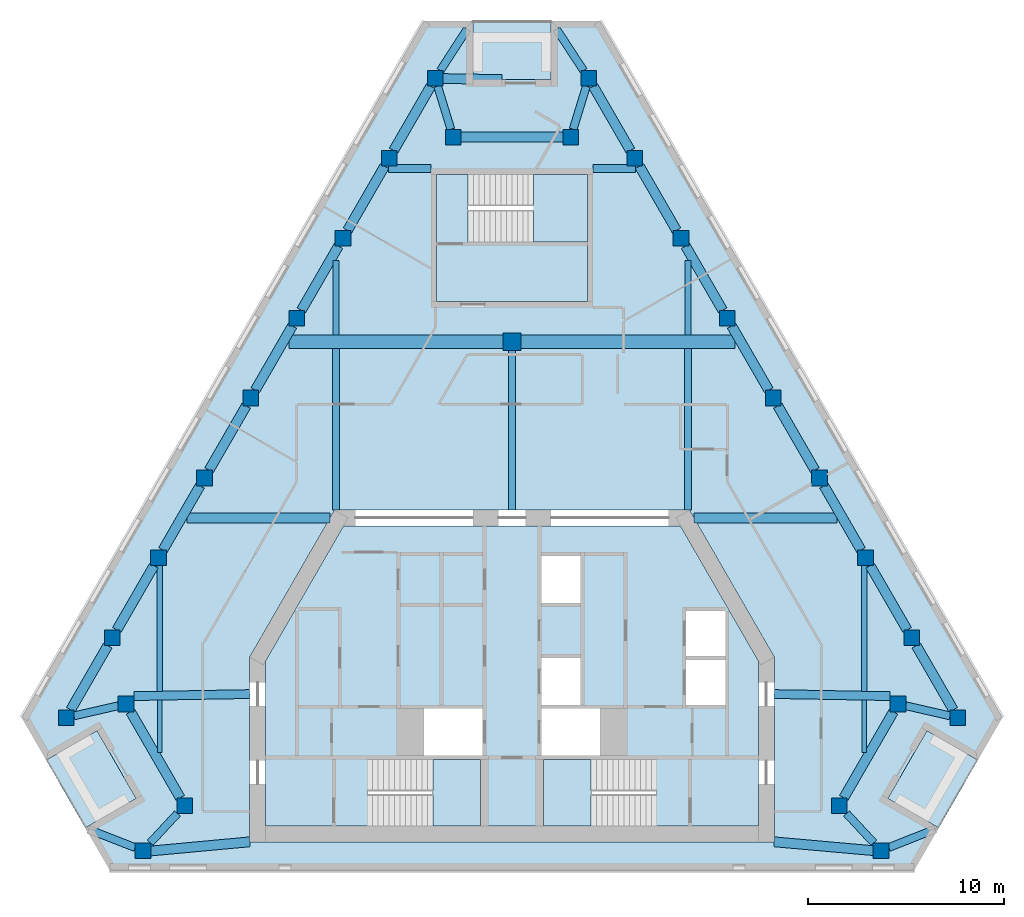
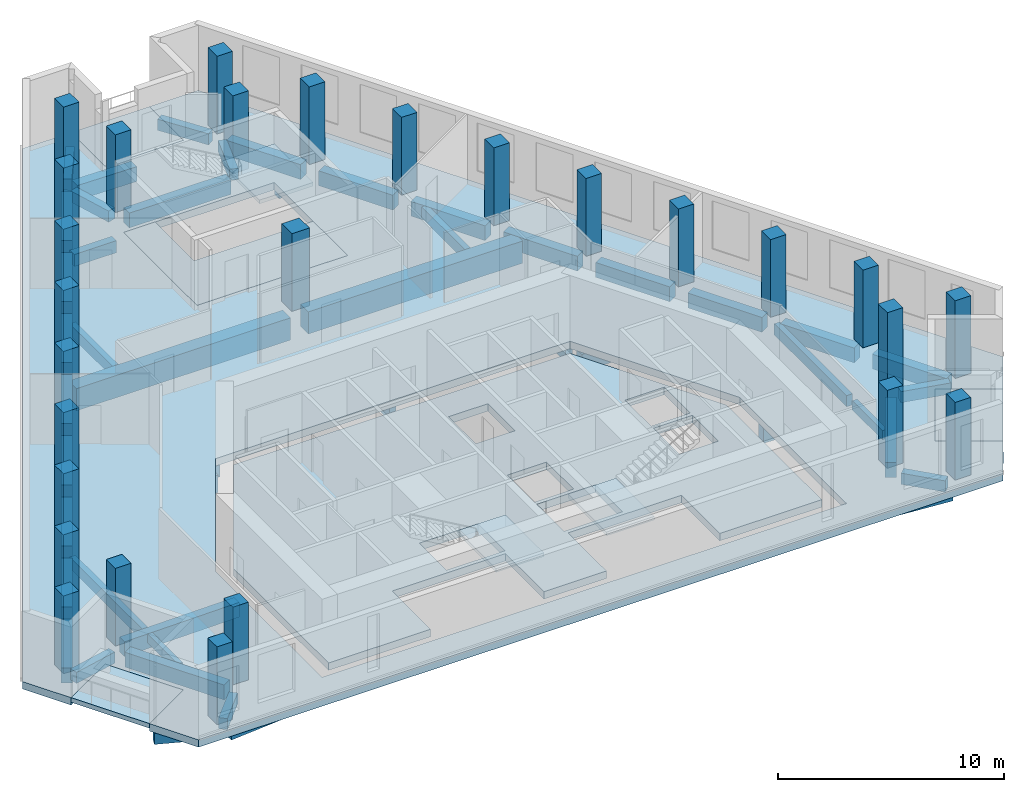
# One storey, part 1 of 8: 49 beams, 27 columns, 9 slabs, 3 elements without a shape of their own.
"""IFC4 building model written with IfcOpenShell, lengths in metres."""

from ifc_helpers import new_model, si_unit, direction, frame, origin, origin_2d, place, context, subcontext, project, spatial, polyline, rectangle, outline, extrude, material, layer, layer_set, material_profile, profile_set, type_object, element, aggregate, save


model = new_model("IFC4")

# Units and contexts
model_context = context("Model", 3, precision=1e-05, world=origin(), true_north=direction((0.0, 1.0)))
body_context = subcontext(model_context, "Body", "Model", "MODEL_VIEW")
ifc_project = project(units=[si_unit("LENGTHUNIT", "METRE"), si_unit("AREAUNIT", "SQUARE_METRE"), si_unit("VOLUMEUNIT", "CUBIC_METRE"), si_unit("PLANEANGLEUNIT", "RADIAN"), si_unit("MASSUNIT", "GRAM", prefix="KILO")], contexts=[model_context])

# Site, building, storey
site_placement = place(None, origin())
site = spatial("IfcSite", under=ifc_project, at=site_placement, CompositionType="ELEMENT")
building_placement = place(site_placement, origin())
building = spatial("IfcBuilding", under=site, at=building_placement, Name="Fogline Exchange Tower", CompositionType="ELEMENT")
storey_placement = place(building_placement, frame((0.0, 0.0, 291.89990234375)))
storey = spatial("IfcBuildingStorey", under=building, at=storey_placement, Name="L66", CompositionType="ELEMENT", Elevation=291.89990234375)

# Columns
ifc_material_1 = material(Name="Concrete C60", Category="concrete")
ifc_material_profile_1 = material_profile(ifc_material_1, rectangle(XDim=0.89990234375, YDim=0.89990234375, at=origin_2d()), Name="RC 900x900")
ifc_profile_set_1 = profile_set([ifc_material_profile_1], Name="Concrete C60")
column_type_1 = type_object("IfcColumnType", Name="C06", PredefinedType="COLUMN", material=ifc_profile_set_1)
column_placement = place(storey_placement, frame((0.0, 27.0, 0.0), z_axis=(0.0, 0.0, 1.0), x_axis=(1.0, 0.0, 0.0)))
element("IfcColumn", 1, at=column_placement, inside=storey, type_object=column_type_1, Name="IC-0-27", PredefinedType="COLUMN", context=body_context, shape_type="SweptSolid", body=[
    extrude(rectangle(XDim=0.89990234375, YDim=0.89990234375, at=origin_2d()), origin(), (0.0, 0.0, 1.0), 4.2001953125),
])
ifc_material_profile_2 = material_profile(ifc_material_1, rectangle(XDim=0.800048828125, YDim=0.800048828125, at=origin_2d()), Name="RC 800x800")
ifc_profile_set_2 = profile_set([ifc_material_profile_2], Name="Concrete C60")
column_type_2 = type_object("IfcColumnType", Name="C07", PredefinedType="COLUMN", material=ifc_profile_set_2)
for number, where, z_axis, x_axis, name in (
    (2, (-22.7802734375, 7.794189453125, 0.0), (0.0, 0.0, 1.0), (1.0, 0.0, 0.0), "SW-a"),
    (3, (-19.720947265625, 8.4951171875, 0.0), (0.0, 0.0, 1.0), (1.0, 0.0, 0.0), "SW-p4"),
    (4, (-16.720947265625, 3.299072265625, 0.0), (0.0, 0.0, 1.0), (1.0, 0.0, 0.0), "SW-p3"),
    (5, (-18.857666015625, 1.0, 0.0), (0.0, 0.0, 1.0), (1.0, 0.0, 0.0), "SW-b"),
    (6, (18.857666015625, 1.0, 0.0), (0.0, 0.0, 1.0), (1.0, 0.0, 0.0), "SE-a"),
    (7, (16.720947265625, 3.299072265625, 0.0), (0.0, 0.0, 1.0), (1.0, 0.0, 0.0), "SE-p4"),
    (8, (19.720947265625, 8.4951171875, 0.0), (0.0, 0.0, 1.0), (1.0, 0.0, 0.0), "SE-p3"),
    (9, (22.7802734375, 7.794189453125, 0.0), (0.0, 0.0, 1.0), (1.0, 0.0, 0.0), "SE-b"),
    (10, (20.423095703125, 11.876953125, 0.0), (0.0, 0.0, 1.0), (1.0, 0.0, 0.0), "E1"),
    (11, (18.06591796875, 15.959716796875, 0.0), (0.0, 0.0, 1.0), (1.0, 0.0, 0.0), "E2"),
    (12, (15.708740234375, 20.04248046875, 0.0), (0.0, 0.0, 1.0), (1.0, 0.0, 0.0), "E3"),
    (13, (13.3515625, 24.12548828125, 0.0), (0.0, 0.0, 1.0), (1.0, 0.0, 0.0), "E4"),
    (14, (10.994384765625, 28.208251953125, 0.0), (0.0, 0.0, 1.0), (1.0, 0.0, 0.0), "E5"),
    (15, (8.63720703125, 32.291015625, 0.0), (0.0, 0.0, 1.0), (1.0, 0.0, 0.0), "E6"),
    (16, (6.27978515625, 36.373779296875, 0.0), (0.0, 0.0, 1.0), (1.0, 0.0, 0.0), "E7"),
    (17, (3.922607421875, 40.456787109375, 0.0), (0.0, 0.0, 1.0), (1.0, 0.0, 0.0), "N-a"),
    (18, (3.0, 37.456787109375, 0.0), (0.0, 0.0, 1.0), (1.0, 0.0, 0.0), "N-p4"),
    (19, (-3.0, 37.456787109375, 0.0), (0.0, 0.0, 1.0), (1.0, 0.0, 0.0), "N-p3"),
    (20, (-3.922607421875, 40.456787109375, 0.0), (0.0, 0.0, 1.0), (1.0, 0.0, 0.0), "N-b"),
    (21, (-6.27978515625, 36.373779296875, 0.0), (0.0, 0.0, 1.0), (1.0, 0.0, 0.0), "W1"),
    (22, (-8.63720703125, 32.291015625, 0.0), (0.0, 0.0, 1.0), (1.0, 0.0, 0.0), "W2"),
    (23, (-10.994384765625, 28.208251953125, 0.0), (0.0, 0.0, 1.0), (1.0, 0.0, 0.0), "W3"),
    (24, (-13.3515625, 24.12548828125, 0.0), (0.0, 0.0, 1.0), (1.0, 0.0, 0.0), "W4"),
    (25, (-15.708740234375, 20.04248046875, 0.0), (0.0, 0.0, 1.0), (1.0, 0.0, 0.0), "W5"),
    (26, (-18.06591796875, 15.959716796875, 0.0), (0.0, 0.0, 1.0), (1.0, 0.0, 0.0), "W6"),
    (27, (-20.423095703125, 11.876953125, 0.0), (0.0, 0.0, 1.0), (1.0, 0.0, 0.0), "W7"),
):
    element("IfcColumn", number, at=place(storey_placement, frame(where, z_axis=z_axis, x_axis=x_axis)), inside=storey, type_object=column_type_2, Name=name, PredefinedType="COLUMN", context=body_context, shape_type="SweptSolid", body=[
        extrude(rectangle(XDim=0.800048828125, YDim=0.800048828125, at=origin_2d()), origin(), (0.0, 0.0, 1.0), 4.2001953125),
    ])

# Beams
ifc_material_2 = material(Name="Concrete C40", Category="concrete")
ifc_material_profile_3 = material_profile(ifc_material_2, rectangle(XDim=0.300048828125, YDim=0.60009765625, at=origin_2d()), Name="RC 300x600")
ifc_profile_set_3 = profile_set([ifc_material_profile_3], Name="Concrete C40")
beam_type_1 = type_object("IfcBeamType", Name="B06", PredefinedType="BEAM", material=ifc_profile_set_3)
beam_1_placement = place(storey_placement, frame((-18.0, 9.1435546875, -0.699951171875), z_axis=(0.0, 1.0, 0.0), x_axis=(-1.0, 0.0, 0.0)))
element("IfcBeam", 28, at=beam_1_placement, inside=storey, type_object=beam_type_1, Name="SB002", PredefinedType="BEAM", context=body_context, shape_type="SweptSolid", body=[
    extrude(rectangle(XDim=0.300048828125, YDim=0.60009765625, at=origin_2d()), origin(), (0.0, 0.0, 1.0), 6.416259765625),
])
for number, where, z_axis, x_axis, name in (
    (29, (-9.0, 27.35009765625, -0.699951171875), (0.0, 1.0, 0.0), (-1.0, 0.0, 0.0), "SB004"),
    (30, (9.0, 27.35009765625, -0.699951171875), (0.0, 1.0, 0.0), (-1.0, 0.0, 0.0), "SB007"),
):
    element("IfcBeam", number, at=place(storey_placement, frame(where, z_axis=z_axis, x_axis=x_axis)), inside=storey, type_object=beam_type_1, Name=name, PredefinedType="BEAM", context=body_context, shape_type="SweptSolid", body=[
        extrude(rectangle(XDim=0.300048828125, YDim=0.60009765625, at=origin_2d()), origin(), (0.0, 0.0, 1.0), 3.812255859375),
    ])
beam_2_placement = place(storey_placement, frame((18.0, 9.1435546875, -0.699951171875), z_axis=(0.0, 1.0, 0.0), x_axis=(-1.0, 0.0, 0.0)))
element("IfcBeam", 31, at=beam_2_placement, inside=storey, type_object=beam_type_1, Name="SB009", PredefinedType="BEAM", context=body_context, shape_type="SweptSolid", body=[
    extrude(rectangle(XDim=0.300048828125, YDim=0.60009765625, at=origin_2d()), origin(), (0.0, 0.0, 1.0), 6.416259765625),
])
ifc_material_profile_4 = material_profile(ifc_material_2, rectangle(XDim=0.25, YDim=0.5, at=origin_2d()), Name="RC 250x500")
ifc_profile_set_4 = profile_set([ifc_material_profile_4], Name="Concrete C40")
beam_type_2 = type_object("IfcBeamType", Name="B08", PredefinedType="BEAM", material=ifc_profile_set_4)
for number, where, z_axis, x_axis, name in (
    (32, (-18.0, 6.014404296875, -0.64990234375), (0.0, 1.0, 0.0), (-1.0, 0.0, 0.0), "SB001"),
    (33, (18.0, 6.014404296875, -0.64990234375), (0.0, 1.0, 0.0), (-1.0, 0.0, 0.0), "SB008"),
):
    element("IfcBeam", number, at=place(storey_placement, frame(where, z_axis=z_axis, x_axis=x_axis)), inside=storey, type_object=beam_type_2, Name=name, PredefinedType="BEAM", context=body_context, shape_type="SweptSolid", body=[
        extrude(rectangle(XDim=0.25, YDim=0.5, at=origin_2d()), origin(), (0.0, 0.0, 1.0), 2.67919921875),
    ])
ifc_material_profile_5 = material_profile(ifc_material_2, rectangle(XDim=0.5, YDim=0.800048828125, at=origin_2d()), Name="RC 500x800")
ifc_profile_set_5 = profile_set([ifc_material_profile_5], Name="Concrete C40")
beam_type_3 = type_object("IfcBeamType", Name="B10", PredefinedType="BEAM", material=ifc_profile_set_5)
beam_3_placement = place(storey_placement, frame((-19.489990234375, 8.09521484375, -0.7998046875), z_axis=(0.499987508774, -0.866032615477, 0.0), x_axis=(0.866032615477, 0.499987508774, 0.0)))
element("IfcBeam", 34, at=beam_3_placement, inside=storey, type_object=beam_type_3, Name="RB002", PredefinedType="BEAM", context=body_context, shape_type="SweptSolid", body=[
    extrude(rectangle(XDim=0.5, YDim=0.800048828125, at=origin_2d()), origin(), (0.0, 0.0, 1.0), 5.076416015625),
])
beam_4_placement = place(storey_placement, frame((-18.457763671875, 0.981689453125, -0.7998046875), z_axis=(0.995741736268, 0.092186737952, 0.0), x_axis=(-0.092186737952, 0.995741736268, 0.0)))
element("IfcBeam", 35, at=beam_4_placement, inside=storey, type_object=beam_type_3, Name="RB004", PredefinedType="BEAM", context=body_context, shape_type="SweptSolid", body=[
    extrude(rectangle(XDim=0.5, YDim=0.800048828125, at=origin_2d()), origin(), (0.0, 0.0, 1.0), 5.07958984375),
])
beam_5_placement = place(storey_placement, frame((13.39990234375, 1.449951171875, -0.7998046875), z_axis=(0.996066324908, -0.088610814153, 0.0), x_axis=(0.088610814153, 0.996066324908, 0.0)))
element("IfcBeam", 36, at=beam_5_placement, inside=storey, type_object=beam_type_3, Name="RB005", PredefinedType="BEAM", context=body_context, shape_type="SweptSolid", body=[
    extrude(rectangle(XDim=0.5, YDim=0.800048828125, at=origin_2d()), origin(), (0.0, 0.0, 1.0), 5.077880859375),
])
beam_6_placement = place(storey_placement, frame((16.951904296875, 3.698974609375, -0.7998046875), z_axis=(0.499987508774, 0.866032615477, 0.0), x_axis=(-0.866032615477, 0.499987508774, 0.0)))
element("IfcBeam", 37, at=beam_6_placement, inside=storey, type_object=beam_type_3, Name="RB007", PredefinedType="BEAM", context=body_context, shape_type="SweptSolid", body=[
    extrude(rectangle(XDim=0.5, YDim=0.800048828125, at=origin_2d()), origin(), (0.0, 0.0, 1.0), 5.076416015625),
])
beam_7_placement = place(storey_placement, frame((22.54931640625, 8.194091796875, -0.7998046875), z_axis=(-0.499969613651, 0.86604294664, 0.0), x_axis=(-0.86604294664, -0.499969613651, 0.0)))
element("IfcBeam", 38, at=beam_7_placement, inside=storey, type_object=beam_type_3, Name="RB009", PredefinedType="BEAM", context=body_context, shape_type="SweptSolid", body=[
    extrude(rectangle(XDim=0.5, YDim=0.800048828125, at=origin_2d()), origin(), (0.0, 0.0, 1.0), 3.790771484375),
])
for number, where, z_axis, x_axis, name in (
    (39, (20.192138671875, 12.277099609375, -0.7998046875), (-0.499997501644, 0.866026846206, 0.0), (-0.866026846206, -0.499997501644, 0.0), "RB010"),
    (40, (17.8349609375, 16.35986328125, -0.7998046875), (-0.499997501644, 0.866026846206, 0.0), (-0.866026846206, -0.499997501644, 0.0), "RB011"),
    (41, (15.477783203125, 20.442626953125, -0.7998046875), (-0.499997501644, 0.866026846206, 0.0), (-0.866026846206, -0.499997501644, 0.0), "RB012"),
):
    element("IfcBeam", number, at=place(storey_placement, frame(where, z_axis=z_axis, x_axis=x_axis)), inside=storey, type_object=beam_type_3, Name=name, PredefinedType="BEAM", context=body_context, shape_type="SweptSolid", body=[
        extrude(rectangle(XDim=0.5, YDim=0.800048828125, at=origin_2d()), origin(), (0.0, 0.0, 1.0), 3.79052734375),
    ])
for number, where, z_axis, x_axis, name in (
    (42, (13.12060546875, 24.525390625, -0.7998046875), (-0.500045805297, 0.865998956469, 0.0), (-0.865998956469, -0.500045805297, 0.0), "RB013"),
    (43, (10.76318359375, 28.608154296875, -0.7998046875), (-0.499969613651, 0.86604294664, 0.0), (-0.86604294664, -0.499969613651, 0.0), "RB014"),
    (44, (8.406005859375, 32.69091796875, -0.7998046875), (-0.499969613651, 0.86604294664, 0.0), (-0.86604294664, -0.499969613651, 0.0), "RB015"),
    (45, (6.048828125, 36.773681640625, -0.7998046875), (-0.499969613651, 0.86604294664, 0.0), (-0.86604294664, -0.499969613651, 0.0), "RB016"),
):
    element("IfcBeam", number, at=place(storey_placement, frame(where, z_axis=z_axis, x_axis=x_axis)), inside=storey, type_object=beam_type_3, Name=name, PredefinedType="BEAM", context=body_context, shape_type="SweptSolid", body=[
        extrude(rectangle(XDim=0.5, YDim=0.800048828125, at=origin_2d()), origin(), (0.0, 0.0, 1.0), 3.790771484375),
    ])
beam_8_placement = place(storey_placement, frame((2.60009765625, 37.456787109375, -0.7998046875), z_axis=(-1.0, 0.0, 0.0), x_axis=(0.0, -1.0, 0.0)))
element("IfcBeam", 46, at=beam_8_placement, inside=storey, type_object=beam_type_3, Name="RB018", PredefinedType="BEAM", context=body_context, shape_type="SweptSolid", body=[
    extrude(rectangle(XDim=0.5, YDim=0.800048828125, at=origin_2d()), origin(), (0.0, 0.0, 1.0), 5.2001953125),
])
for number, where, z_axis, x_axis, name in (
    (47, (-4.153564453125, 40.056640625, -0.7998046875), (-0.499969613651, -0.86604294664, 0.0), (0.86604294664, -0.499969613651, 0.0), "RB020"),
    (48, (-6.5107421875, 35.973876953125, -0.7998046875), (-0.499969613651, -0.86604294664, 0.0), (0.86604294664, -0.499969613651, 0.0), "RB021"),
    (49, (-8.867919921875, 31.89111328125, -0.7998046875), (-0.499969613651, -0.86604294664, 0.0), (0.86604294664, -0.499969613651, 0.0), "RB022"),
    (50, (-11.22509765625, 27.80810546875, -0.7998046875), (-0.500045805297, -0.865998956469, 0.0), (0.865998956469, -0.500045805297, 0.0), "RB023"),
):
    element("IfcBeam", number, at=place(storey_placement, frame(where, z_axis=z_axis, x_axis=x_axis)), inside=storey, type_object=beam_type_3, Name=name, PredefinedType="BEAM", context=body_context, shape_type="SweptSolid", body=[
        extrude(rectangle(XDim=0.5, YDim=0.800048828125, at=origin_2d()), origin(), (0.0, 0.0, 1.0), 3.790771484375),
    ])
for number, where, z_axis, x_axis, name in (
    (51, (-13.58251953125, 23.725341796875, -0.7998046875), (-0.499997501644, -0.866026846206, 0.0), (0.866026846206, -0.499997501644, 0.0), "RB024"),
    (52, (-15.939697265625, 19.642578125, -0.7998046875), (-0.499997501644, -0.866026846206, 0.0), (0.866026846206, -0.499997501644, 0.0), "RB025"),
    (53, (-18.296875, 15.559814453125, -0.7998046875), (-0.499997501644, -0.866026846206, 0.0), (0.866026846206, -0.499997501644, 0.0), "RB026"),
):
    element("IfcBeam", number, at=place(storey_placement, frame(where, z_axis=z_axis, x_axis=x_axis)), inside=storey, type_object=beam_type_3, Name=name, PredefinedType="BEAM", context=body_context, shape_type="SweptSolid", body=[
        extrude(rectangle(XDim=0.5, YDim=0.800048828125, at=origin_2d()), origin(), (0.0, 0.0, 1.0), 3.79052734375),
    ])
beam_9_placement = place(storey_placement, frame((-20.654052734375, 11.47705078125, -0.7998046875), z_axis=(-0.499969613651, -0.86604294664, 0.0), x_axis=(0.86604294664, -0.499969613651, 0.0)))
element("IfcBeam", 54, at=beam_9_placement, inside=storey, type_object=beam_type_3, Name="RB027", PredefinedType="BEAM", context=body_context, shape_type="SweptSolid", body=[
    extrude(rectangle(XDim=0.5, YDim=0.800048828125, at=origin_2d()), origin(), (0.0, 0.0, 1.0), 3.790771484375),
])
beam_10_placement = place(storey_placement, frame((-3.522705078125, 40.449951171875, -0.7998046875), z_axis=(0.999861680238, -0.016631908832, 0.0), x_axis=(0.016631908832, 0.999861680238, 0.0)))
element("IfcBeam", 55, at=beam_10_placement, inside=storey, type_object=beam_type_3, Name="SP032", PredefinedType="BEAM", context=body_context, shape_type="SweptSolid", body=[
    extrude(rectangle(XDim=0.5, YDim=0.800048828125, at=origin_2d()), origin(), (0.0, 0.0, 1.0), 3.00927734375),
])
ifc_material_profile_6 = material_profile(ifc_material_2, rectangle(XDim=0.39990234375, YDim=0.60009765625, at=origin_2d()), Name="RC 400x600")
ifc_profile_set_6 = profile_set([ifc_material_profile_6], Name="Concrete C40")
beam_type_4 = type_object("IfcBeamType", Name="B11", PredefinedType="BEAM", material=ifc_profile_set_6)
beam_11_placement = place(storey_placement, frame((-22.38037109375, 7.885986328125, -0.699951171875), z_axis=(0.974753812703, 0.223282342834, 0.0), x_axis=(-0.223282342834, 0.974753812703, 0.0)))
element("IfcBeam", 56, at=beam_11_placement, inside=storey, type_object=beam_type_4, Name="RB001", PredefinedType="BEAM", context=body_context, shape_type="SweptSolid", body=[
    extrude(rectangle(XDim=0.39990234375, YDim=0.60009765625, at=origin_2d()), origin(), (0.0, 0.0, 1.0), 2.318115234375),
])
for number, where, z_axis, x_axis, name in (
    (57, (-17.0927734375, 2.89892578125, -0.699951171875), (-0.680743909802, -0.732521487239, 0.0), (0.732521487239, -0.680743909802, 0.0), "RB003"),
    (58, (18.48583984375, 1.39990234375, -0.699951171875), (-0.680743909802, 0.732521487239, 0.0), (-0.732521487239, -0.680743909802, 0.0), "RB006"),
):
    element("IfcBeam", number, at=place(storey_placement, frame(where, z_axis=z_axis, x_axis=x_axis)), inside=storey, type_object=beam_type_4, Name=name, PredefinedType="BEAM", context=body_context, shape_type="SweptSolid", body=[
        extrude(rectangle(XDim=0.39990234375, YDim=0.60009765625, at=origin_2d()), origin(), (0.0, 0.0, 1.0), 2.04638671875),
    ])
beam_12_placement = place(storey_placement, frame((20.120849609375, 8.403564453125, -0.699951171875), z_axis=(0.974753812703, -0.223282342834, 0.0), x_axis=(0.223282342834, 0.974753812703, 0.0)))
element("IfcBeam", 59, at=beam_12_placement, inside=storey, type_object=beam_type_4, Name="RB008", PredefinedType="BEAM", context=body_context, shape_type="SweptSolid", body=[
    extrude(rectangle(XDim=0.39990234375, YDim=0.60009765625, at=origin_2d()), origin(), (0.0, 0.0, 1.0), 2.318115234375),
])
for number, where, z_axis, x_axis, name in (
    (60, (3.799560546875, 40.056640625, -0.699951171875), (-0.293929314998, -0.955827158949, 0.0), (0.955827158949, -0.293929314998, 0.0), "RB017"),
    (61, (-3.123046875, 37.856689453125, -0.699951171875), (-0.293929314998, 0.955827158949, 0.0), (-0.955827158949, -0.293929314998, 0.0), "RB019"),
):
    element("IfcBeam", number, at=place(storey_placement, frame(where, z_axis=z_axis, x_axis=x_axis)), inside=storey, type_object=beam_type_4, Name=name, PredefinedType="BEAM", context=body_context, shape_type="SweptSolid", body=[
        extrude(rectangle(XDim=0.39990234375, YDim=0.60009765625, at=origin_2d()), origin(), (0.0, 0.0, 1.0), 2.301513671875),
    ])
beam_13_placement = place(storey_placement, frame((3.66015625, 40.856689453125, -0.699951171875), z_axis=(-0.548529780457, 0.836131018413, 0.0), x_axis=(-0.836131018413, -0.548529780457, 0.0)))
element("IfcBeam", 62, at=beam_13_placement, inside=storey, type_object=beam_type_4, Name="SP028", PredefinedType="BEAM", context=body_context, shape_type="SweptSolid", body=[
    extrude(rectangle(XDim=0.39990234375, YDim=0.60009765625, at=origin_2d()), origin(), (0.0, 0.0, 1.0), 2.5263671875),
])
beam_14_placement = place(storey_placement, frame((-3.663818359375, 40.856689453125, -0.699951171875), z_axis=(0.543311543081, 0.839531159133, 0.0), x_axis=(-0.839531159133, 0.543311543081, 0.0)))
element("IfcBeam", 63, at=beam_14_placement, inside=storey, type_object=beam_type_4, Name="SP029", PredefinedType="BEAM", context=body_context, shape_type="SweptSolid", body=[
    extrude(rectangle(XDim=0.39990234375, YDim=0.60009765625, at=origin_2d()), origin(), (0.0, 0.0, 1.0), 2.51953125),
])
beam_15_placement = place(storey_placement, frame((19.2578125, 1.15869140625, -0.699951171875), z_axis=(0.929422622567, 0.369017057412, 0.0), x_axis=(-0.369017057412, 0.929422622567, 0.0)))
element("IfcBeam", 64, at=beam_15_placement, inside=storey, type_object=beam_type_4, Name="SP030", PredefinedType="BEAM", context=body_context, shape_type="SweptSolid", body=[
    extrude(rectangle(XDim=0.39990234375, YDim=0.60009765625, at=origin_2d()), origin(), (0.0, 0.0, 1.0), 2.537109375),
])
beam_16_placement = place(storey_placement, frame((-19.2578125, 1.156005859375, -0.699951171875), z_axis=(-0.931526239158, 0.363674120279, 0.0), x_axis=(-0.363674120279, -0.931526239158, 0.0)))
element("IfcBeam", 65, at=beam_16_placement, inside=storey, type_object=beam_type_4, Name="SP031", PredefinedType="BEAM", context=body_context, shape_type="SweptSolid", body=[
    extrude(rectangle(XDim=0.39990234375, YDim=0.60009765625, at=origin_2d()), origin(), (0.0, 0.0, 1.0), 2.5517578125),
])
ifc_material_profile_7 = material_profile(ifc_material_2, rectangle(XDim=0.39990234375, YDim=0.64990234375, at=origin_2d()), Name="RC 400x650")
ifc_profile_set_7 = profile_set([ifc_material_profile_7], Name="Concrete C40")
beam_type_5 = type_object("IfcBeamType", Name="B13", PredefinedType="BEAM", material=ifc_profile_set_7)
for number, where, z_axis, x_axis, name in (
    (66, (-6.308349609375, 35.85693359375, -0.724853515625), (1.0, 0.0, 0.0), (0.0, 1.0, 0.0), "GB007"),
    (67, (4.14990234375, 35.85693359375, -0.724853515625), (1.0, 0.0, 0.0), (0.0, 1.0, 0.0), "GB008"),
):
    element("IfcBeam", number, at=place(storey_placement, frame(where, z_axis=z_axis, x_axis=x_axis)), inside=storey, type_object=beam_type_5, Name=name, PredefinedType="BEAM", context=body_context, shape_type="SweptSolid", body=[
        extrude(rectangle(XDim=0.39990234375, YDim=0.64990234375, at=origin_2d()), origin(), (0.0, 0.0, 1.0), 2.158447265625),
    ])
ifc_material_profile_8 = material_profile(ifc_material_2, rectangle(XDim=0.5, YDim=0.949951171875, at=origin_2d()), Name="RC 500x950")
ifc_profile_set_8 = profile_set([ifc_material_profile_8], Name="Concrete C40")
beam_type_6 = type_object("IfcBeamType", Name="B14", PredefinedType="BEAM", material=ifc_profile_set_8)
for number, where, z_axis, x_axis, name in (
    (68, (-16.599365234375, 18.0, -0.875), (1.0, 0.0, 0.0), (0.0, 1.0, 0.0), "GB003"),
    (69, (9.296142578125, 18.0, -0.875), (1.0, 0.0, 0.0), (0.0, 1.0, 0.0), "GB004"),
):
    element("IfcBeam", number, at=place(storey_placement, frame(where, z_axis=z_axis, x_axis=x_axis)), inside=storey, type_object=beam_type_6, Name=name, PredefinedType="BEAM", context=body_context, shape_type="SweptSolid", body=[
        extrude(rectangle(XDim=0.5, YDim=0.949951171875, at=origin_2d()), origin(), (0.0, 0.0, 1.0), 7.30322265625),
    ])
ifc_material_profile_9 = material_profile(ifc_material_2, rectangle(XDim=0.35009765625, YDim=0.64990234375, at=origin_2d()), Name="RC 350x650")
ifc_profile_set_9 = profile_set([ifc_material_profile_9], Name="Concrete C40")
beam_type_7 = type_object("IfcBeamType", Name="B16", PredefinedType="BEAM", material=ifc_profile_set_9)
beam_17_placement = place(storey_placement, frame((-9.0, 18.39990234375, -0.724853515625), z_axis=(0.0, 1.0, 0.0), x_axis=(-1.0, 0.0, 0.0)))
element("IfcBeam", 70, at=beam_17_placement, inside=storey, type_object=beam_type_7, Name="SB003", PredefinedType="BEAM", context=body_context, shape_type="SweptSolid", body=[
    extrude(rectangle(XDim=0.35009765625, YDim=0.64990234375, at=origin_2d()), origin(), (0.0, 0.0, 1.0), 8.25),
])
beam_18_placement = place(storey_placement, frame((0.0, 18.39990234375, -0.724853515625), z_axis=(0.0, 1.0, 0.0), x_axis=(-1.0, 0.0, 0.0)))
element("IfcBeam", 71, at=beam_18_placement, inside=storey, type_object=beam_type_7, Name="SB005", PredefinedType="BEAM", context=body_context, shape_type="SweptSolid", body=[
    extrude(rectangle(XDim=0.35009765625, YDim=0.64990234375, at=origin_2d()), origin(), (0.0, 0.0, 1.0), 8.150146484375),
])
beam_19_placement = place(storey_placement, frame((9.0, 18.39990234375, -0.724853515625), z_axis=(0.0, 1.0, 0.0), x_axis=(-1.0, 0.0, 0.0)))
element("IfcBeam", 72, at=beam_19_placement, inside=storey, type_object=beam_type_7, Name="SB006", PredefinedType="BEAM", context=body_context, shape_type="SweptSolid", body=[
    extrude(rectangle(XDim=0.35009765625, YDim=0.64990234375, at=origin_2d()), origin(), (0.0, 0.0, 1.0), 8.25),
])
ifc_material_profile_10 = material_profile(ifc_material_2, rectangle(XDim=0.699951171875, YDim=1.199951171875, at=origin_2d()), Name="RC 700x1200")
ifc_profile_set_10 = profile_set([ifc_material_profile_10], Name="Concrete C40")
beam_type_8 = type_object("IfcBeamType", Name="B17", PredefinedType="BEAM", material=ifc_profile_set_10)
for number, where, z_axis, x_axis, name in (
    (73, (-11.4033203125, 27.0, -1.0), (1.0, 0.0, 0.0), (0.0, 1.0, 0.0), "GB005"),
    (74, (0.449951171875, 27.0, -1.0), (1.0, 0.0, 0.0), (0.0, 1.0, 0.0), "GB006"),
):
    element("IfcBeam", number, at=place(storey_placement, frame(where, z_axis=z_axis, x_axis=x_axis)), inside=storey, type_object=beam_type_8, Name=name, PredefinedType="BEAM", context=body_context, shape_type="SweptSolid", body=[
        extrude(rectangle(XDim=0.699951171875, YDim=1.199951171875, at=origin_2d()), origin(), (0.0, 0.0, 1.0), 10.953369140625),
    ])
ifc_material_profile_11 = material_profile(ifc_material_2, rectangle(XDim=0.449951171875, YDim=0.800048828125, at=origin_2d()), Name="RC 450x800")
ifc_profile_set_11 = profile_set([ifc_material_profile_11], Name="Concrete C40")
beam_type_9 = type_object("IfcBeamType", Name="B18", PredefinedType="BEAM", material=ifc_profile_set_11)
for number, where, z_axis, x_axis, name in (
    (75, (-19.32080078125, 8.895263671875, -0.7998046875), (0.9998435817, 0.017686495817, 0.0), (-0.017686495817, 0.9998435817, 0.0), "GB001"),
    (76, (13.39990234375, 9.0, -0.7998046875), (0.9998435817, -0.017686495817, 0.0), (0.017686495817, 0.9998435817, 0.0), "GB002"),
):
    element("IfcBeam", number, at=place(storey_placement, frame(where, z_axis=z_axis, x_axis=x_axis)), inside=storey, type_object=beam_type_9, Name=name, PredefinedType="BEAM", context=body_context, shape_type="SweptSolid", body=[
        extrude(rectangle(XDim=0.449951171875, YDim=0.800048828125, at=origin_2d()), origin(), (0.0, 0.0, 1.0), 5.921875),
    ])

# Slabs
ifc_layer_1 = layer(ifc_material_2, 0.25)
ifc_layer_set_1 = layer_set([ifc_layer_1], Name="DK1")
slab_type_1 = type_object("IfcSlabType", Name="DK1", PredefinedType="FLOOR", material=ifc_layer_set_1)
slab_1_placement = place(storey_placement, frame((0.0, 0.0, -0.25)))
element("IfcSlab", 77, at=slab_1_placement, inside=storey, type_object=slab_type_1, Name="Balcony L66 SW", PredefinedType="FLOOR", context=body_context, shape_type="SweptSolid", body=[
    extrude(outline(polyline([(-23.80224609375, 5.629150390625), (-21.80224609375, 2.1650390625), (-19.2041015625, 3.6650390625), (-21.2041015625, 7.129150390625), (-23.80224609375, 5.629150390625)])), origin(), (0.0, 0.0, 1.0), 0.25),
])
slab_2_placement = place(storey_placement, frame((0.0, 0.0, -0.25)))
element("IfcSlab", 78, at=slab_2_placement, inside=storey, type_object=slab_type_1, Name="Balcony L66 SE", PredefinedType="FLOOR", context=body_context, shape_type="SweptSolid", body=[
    extrude(outline(polyline([(21.80224609375, 2.1650390625), (23.80224609375, 5.629150390625), (21.2041015625, 7.129150390625), (19.2041015625, 3.6650390625), (21.80224609375, 2.1650390625)])), origin(), (0.0, 0.0, 1.0), 0.25),
])
slab_3_placement = place(storey_placement, frame((0.0, 0.0, -0.25)))
element("IfcSlab", 79, at=slab_3_placement, inside=storey, type_object=slab_type_1, Name="Balcony L66 N", PredefinedType="FLOOR", context=body_context, shape_type="SweptSolid", body=[
    extrude(outline(polyline([(2.0, 43.3916015625), (-2.0, 43.3916015625), (-2.0, 40.3916015625), (2.0, 40.3916015625), (2.0, 43.3916015625)])), origin(), (0.0, 0.0, 1.0), 0.25),
])
ifc_layer_2 = layer(ifc_material_2, 0.39990234375)
ifc_layer_set_2 = layer_set([ifc_layer_2], Name="S03")
slab_type_2 = type_object("IfcSlabType", Name="S03", PredefinedType="FLOOR", material=ifc_layer_set_2)
slab_4_placement = place(storey_placement, frame((0.0, 0.0, -0.39990234375)))
element("IfcSlab", 80, at=slab_4_placement, inside=storey, type_object=slab_type_2, Name="SLAB L66", PredefinedType="FLOOR", context=body_context, shape_type="SweptSolid", body=[
    extrude(outline(polyline([(-2.0, 43.3916015625), (-4.5, 43.3916015625), (-25.05224609375, 7.794189453125), (-23.80224609375, 5.629150390625), (-21.2041015625, 7.129150390625), (-19.2041015625, 3.6650390625), (-21.80224609375, 2.1650390625), (-20.55224609375, 0.0), (20.55224609375, 0.0), (21.80224609375, 2.1650390625), (19.2041015625, 3.6650390625), (21.2041015625, 7.129150390625), (23.80224609375, 5.629150390625), (25.05224609375, 7.794189453125), (4.5, 43.3916015625), (2.0, 43.3916015625), (2.0, 40.3916015625), (-2.0, 40.3916015625), (-2.0, 43.3916015625)]), holes=[polyline([(13.39990234375, 10.891845703125), (13.39990234375, 1.449951171875), (-13.39990234375, 1.449951171875), (-13.39990234375, 10.891845703125), (-9.065185546875, 18.39990234375), (9.065185546875, 18.39990234375), (13.39990234375, 10.891845703125)]), polyline([(3.85009765625, 35.556884765625), (3.85009765625, 29.056884765625), (-3.85009765625, 29.056884765625), (-3.85009765625, 35.556884765625), (3.85009765625, 35.556884765625)])]), origin(), (0.0, 0.0, 1.0), 0.39990234375),
])
slab_5_placement = place(storey_placement, frame((0.0, 0.0, -0.39990234375)))
element("IfcSlab", 81, at=slab_5_placement, inside=storey, type_object=slab_type_2, Name="Core floor slab", PredefinedType="FLOOR", context=body_context, shape_type="SweptSolid", body=[
    extrude(outline(polyline([(-12.60009765625, 2.25), (-12.60009765625, 10.677490234375), (-8.603271484375, 17.60009765625), (8.603271484375, 17.60009765625), (12.60009765625, 10.677490234375), (12.60009765625, 2.25), (7.389892578125, 2.25), (7.389892578125, 5.64990234375), (1.60009765625, 5.64990234375), (1.60009765625, 2.25), (-1.60009765625, 2.25), (-1.60009765625, 5.64990234375), (-7.389892578125, 5.64990234375), (-7.389892578125, 2.25), (-12.60009765625, 2.25)]), holes=[polyline([(-4.5, 8.25), (-4.5, 5.85009765625), (-1.5, 5.85009765625), (-1.5, 8.25), (-4.5, 8.25)]), polyline([(1.5, 8.25), (1.5, 5.85009765625), (4.5, 5.85009765625), (4.5, 8.25), (1.5, 8.25)]), polyline([(8.89990234375, 10.75), (8.89990234375, 8.449951171875), (10.89990234375, 8.449951171875), (10.89990234375, 10.75), (8.89990234375, 10.75)]), polyline([(1.5, 10.85009765625), (1.5, 8.449951171875), (3.5, 8.449951171875), (3.5, 10.85009765625), (1.5, 10.85009765625)]), polyline([(8.89990234375, 13.25), (8.89990234375, 10.949951171875), (10.89990234375, 10.949951171875), (10.89990234375, 13.25), (8.89990234375, 13.25)]), polyline([(1.5, 16.050048828125), (1.5, 13.64990234375), (3.5, 13.64990234375), (3.5, 16.050048828125), (1.5, 16.050048828125)])]), origin(), (0.0, 0.0, 1.0), 0.39990234375),
])
slab_6_placement = place(storey_placement, frame((0.0, 0.0, -0.39990234375)))
element("IfcSlab", 82, at=slab_6_placement, inside=storey, type_object=slab_type_2, Name="Stair enclosure floor slab", PredefinedType="FLOOR", context=body_context, shape_type="SweptSolid", body=[
    extrude(outline(polyline([(3.85009765625, 29.056884765625), (-3.85009765625, 29.056884765625), (-3.85009765625, 35.556884765625), (-2.239990234375, 35.556884765625), (-2.239990234375, 32.10693359375), (3.85009765625, 32.10693359375), (3.85009765625, 29.056884765625)])), origin(), (0.0, 0.0, 1.0), 0.39990234375),
])

# Stair, slab
stair_type = type_object("IfcStairType", Name="STR26-1615", PredefinedType="HALF_TURN_STAIR", material=ifc_material_2)
stair_1_placement = place(storey_placement, origin())
stair_1 = element("IfcStair", 83, at=stair_1_placement, inside=storey, type_object=stair_type, Name="Stair ST1", PredefinedType="HALF_TURN_STAIR")
ifc_layer_3 = layer(ifc_material_2, 0.199951171875)
ifc_layer_set_3 = layer_set([ifc_layer_3], Name="SL200")
slab_type_3 = type_object("IfcSlabType", Name="SL200", PredefinedType="LANDING", material=ifc_layer_set_3)
slab_7_placement = place(storey_placement, frame((0.0, 0.0, 1.900146484375)))
slab_7 = element("IfcSlab", 84, at=slab_7_placement, type_object=slab_type_3, Name="ST1 landing 1", PredefinedType="LANDING", context=body_context, shape_type="SweptSolid", body=[
    extrude(outline(polyline([(-4.0400390625, 2.25), (-1.60009765625, 2.25), (-1.60009765625, 5.64990234375), (-4.0400390625, 5.64990234375), (-4.0400390625, 2.25)])), origin(), (0.0, 0.0, 1.0), 0.199951171875),
])
aggregate(stair_1, [slab_7])

stair_2_placement = place(storey_placement, origin())
stair_2 = element("IfcStair", 85, at=stair_2_placement, inside=storey, type_object=stair_type, Name="Stair ST2", PredefinedType="HALF_TURN_STAIR")
slab_8_placement = place(storey_placement, frame((0.0, 0.0, 1.900146484375)))
slab_8 = element("IfcSlab", 86, at=slab_8_placement, type_object=slab_type_3, Name="ST2 landing 1", PredefinedType="LANDING", context=body_context, shape_type="SweptSolid", body=[
    extrude(outline(polyline([(1.60009765625, 2.25), (4.0400390625, 2.25), (4.0400390625, 5.64990234375), (1.60009765625, 5.64990234375), (1.60009765625, 2.25)])), origin(), (0.0, 0.0, 1.0), 0.199951171875),
])
aggregate(stair_2, [slab_8])

stair_3_placement = place(storey_placement, origin())
stair_3 = element("IfcStair", 87, at=stair_3_placement, inside=storey, type_object=stair_type, Name="Stair ST3", PredefinedType="HALF_TURN_STAIR")
slab_9_placement = place(storey_placement, frame((0.0, 0.0, 1.900146484375)))
slab_9 = element("IfcSlab", 88, at=slab_9_placement, type_object=slab_type_3, Name="ST3 landing 1", PredefinedType="LANDING", context=body_context, shape_type="SweptSolid", body=[
    extrude(outline(polyline([(1.110107421875, 32.10693359375), (3.85009765625, 32.10693359375), (3.85009765625, 35.556884765625), (1.110107421875, 35.556884765625), (1.110107421875, 32.10693359375)])), origin(), (0.0, 0.0, 1.0), 0.199951171875),
])
aggregate(stair_3, [slab_9])

save(model, "model.ifc")
